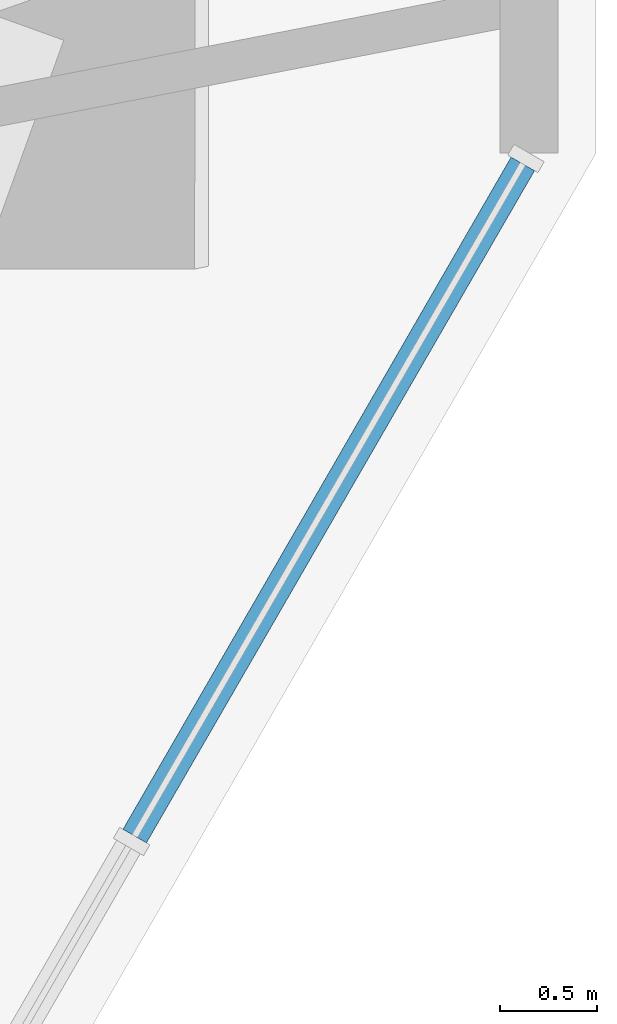
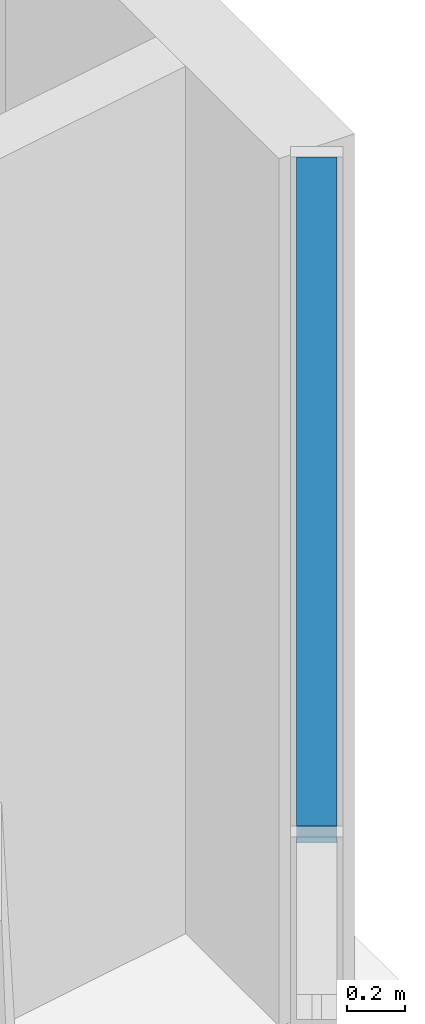
# One storey, part 6 of 17: 1 member, 1 element without a shape of its own.
"""IFC4 building model written with IfcOpenShell, lengths in metres."""

from ifc_helpers import new_model, si_unit, direction, frame, origin, origin_2d, place, context, subcontext, project, spatial, rectangle, extrude, material, material_profile, profile_set, type_object, element, aggregate, save


model = new_model("IFC4")

# Units and contexts
model_context = context("Model", 3, precision=1e-05, world=origin(), true_north=direction((0.0, 1.0)))
body_context = subcontext(model_context, "Body", "Model", "MODEL_VIEW")
ifc_project = project(units=[si_unit("LENGTHUNIT", "METRE"), si_unit("AREAUNIT", "SQUARE_METRE"), si_unit("VOLUMEUNIT", "CUBIC_METRE"), si_unit("PLANEANGLEUNIT", "RADIAN"), si_unit("MASSUNIT", "GRAM", prefix="KILO")], contexts=[model_context])

# Site, building, storey
site_placement = place(None, origin())
site = spatial("IfcSite", under=ifc_project, at=site_placement, CompositionType="ELEMENT")
building_placement = place(site_placement, origin())
building = spatial("IfcBuilding", under=site, at=building_placement, Name="Sandreach Pilgrim Tower", CompositionType="ELEMENT")
storey_placement = place(building_placement, frame((0.0, 0.0, 161.39990234375)))
storey = spatial("IfcBuildingStorey", under=building, at=storey_placement, Name="L40", CompositionType="ELEMENT", Elevation=161.39990234375)

# Curtain wall, member
ifc_material_1 = material(Name="Aluminium framed curtain wall", Category="aluminium")
curtain_wall_type = type_object("IfcCurtainWallType", Name="Hotel tower curtain wall", PredefinedType="NOTDEFINED", material=ifc_material_1)
curtain_wall_placement = place(storey_placement, origin())
curtain_wall = element("IfcCurtainWall", 1, at=curtain_wall_placement, inside=storey, type_object=curtain_wall_type, Name="CW-2 L40 SE", PredefinedType="NOTDEFINED")
ifc_material_2 = material(Name="Aluminium extrusion", Category="aluminium")
ifc_material_profile = material_profile(ifc_material_2, rectangle(XDim=0.139892578125, YDim=0.070068359375, at=origin_2d()), Name="CW-2T 140X70")
ifc_profile_set = profile_set([ifc_material_profile], Name="Aluminium extrusion")
member_type = type_object("IfcMemberType", Name="CW-2 transom", PredefinedType="USERDEFINED", material=ifc_profile_set)
member_placement = place(storey_placement, frame((28.6884765625, 4.7021484375, 3.60498046875), z_axis=(-0.500015851672, -0.866016251624, 0.0), x_axis=(0.866016251624, -0.500015851672, 0.0)))
member = element("IfcMember", 2, at=member_placement, type_object=member_type, Name="CW-2 head transom 1", ObjectType="TRANSOM", PredefinedType="USERDEFINED", context=body_context, shape_type="SweptSolid", body=[
    extrude(rectangle(XDim=0.139892578125, YDim=0.070068359375, at=origin_2d()), origin(), (0.0, 0.0, 1.0), 4.009521484375),
])
aggregate(curtain_wall, [member])

save(model, "model.ifc")
